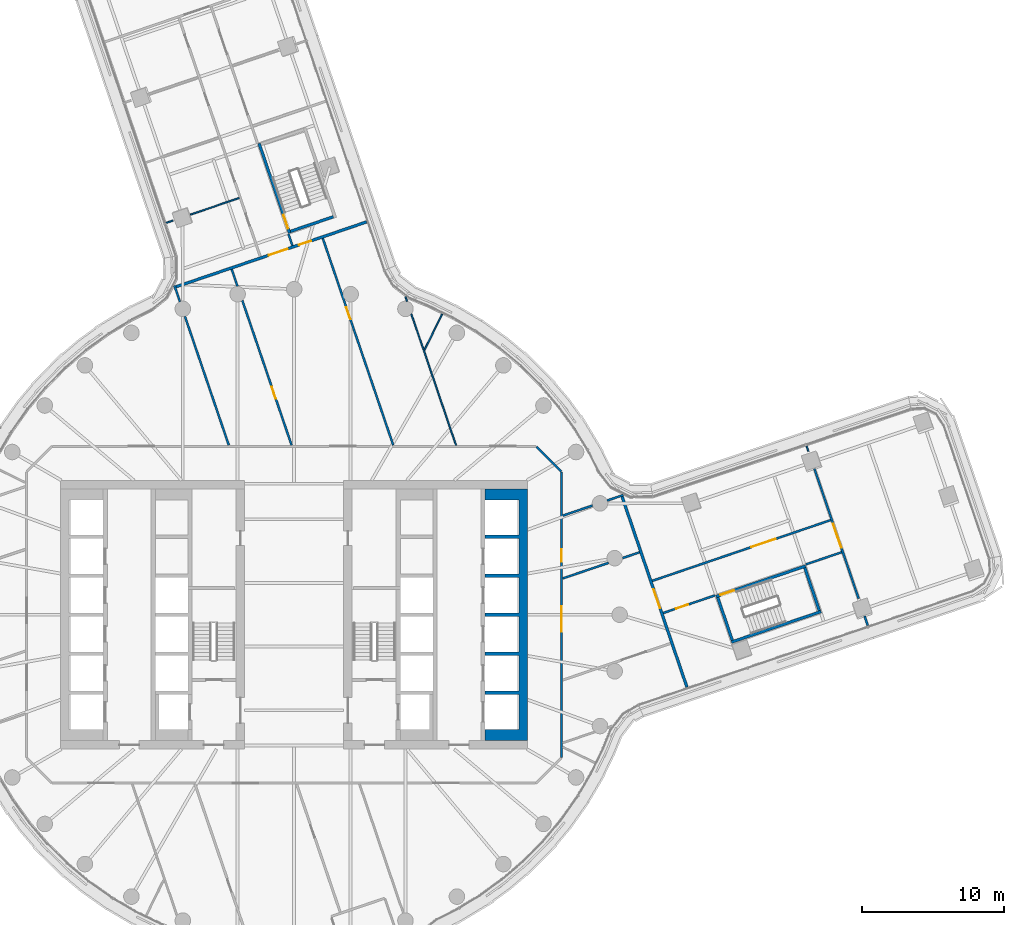
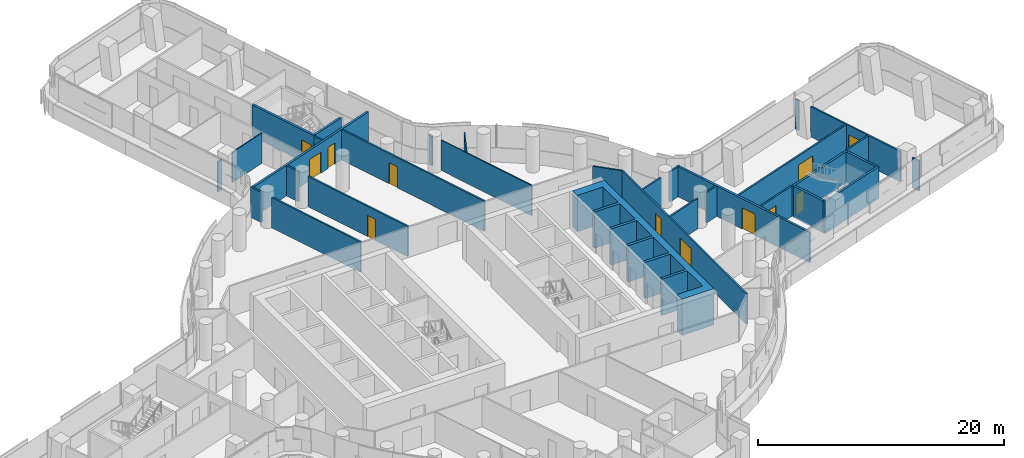
# One storey, part 20 of 29: 32 walls, 12 doors, 12 openings.
"""IFC4 building model written with IfcOpenShell, lengths in metres."""

from ifc_helpers import new_model, si_unit, direction, frame, frame_2d, origin, place, context, subcontext, project, spatial, polyline, rectangle, outline, extrude, material, layer, layer_set, type_object, element, fill, save


model = new_model("IFC4")

# Units and contexts
model_context = context("Model", 3, precision=1e-05, world=origin(), true_north=direction((0.0, 1.0)))
body_context = subcontext(model_context, "Body", "Model", "MODEL_VIEW")
ifc_project = project(units=[si_unit("LENGTHUNIT", "METRE"), si_unit("AREAUNIT", "SQUARE_METRE"), si_unit("VOLUMEUNIT", "CUBIC_METRE"), si_unit("PLANEANGLEUNIT", "RADIAN"), si_unit("MASSUNIT", "GRAM", prefix="KILO")], contexts=[model_context])

# Site, building, storey
site_placement = place(None, origin())
site = spatial("IfcSite", under=ifc_project, at=site_placement, CompositionType="ELEMENT")
building_placement = place(site_placement, origin())
building = spatial("IfcBuilding", under=site, at=building_placement, Name="Tamarind Cross Interchange Tower", CompositionType="ELEMENT")
storey_placement = place(building_placement, frame((0.0, 0.0, 102.25)))
storey = spatial("IfcBuildingStorey", under=building, at=storey_placement, Name="L24", CompositionType="ELEMENT", Elevation=102.25)

# Walls
ifc_material_1 = material(Name="Concrete C70", Category="concrete")
ifc_layer_1 = layer(ifc_material_1, 0.60009765625)
ifc_layer_set_1 = layer_set([ifc_layer_1], Name="Concrete C70")
wall_type_1 = type_object("IfcWallType", Name="Core wall 600 mm Concrete C70", PredefinedType="SHEAR", material=ifc_layer_set_1)
wall_1_placement = place(storey_placement, origin())
element("IfcWall", 1, at=wall_1_placement, inside=storey, type_object=wall_type_1, Name="Core wall CWL-L24-E-A", PredefinedType="SHEAR", context=body_context, shape_type="SweptSolid", body=[
    extrude(outline(polyline([(13.5, -8.89990234375), (15.89990234375, -8.89990234375), (16.5, -8.89990234375), (16.5, 8.89990234375), (15.89990234375, 8.89990234375), (13.5, 8.89990234375), (13.5, 8.125), (15.89990234375, 8.125), (15.89990234375, 5.625), (13.5, 5.625), (13.5, 5.375), (15.89990234375, 5.375), (15.89990234375, 2.875), (13.5, 2.875), (13.5, 2.625), (15.89990234375, 2.625), (15.89990234375, 0.125), (13.5, 0.125), (13.5, -0.125), (15.89990234375, -0.125), (15.89990234375, -2.625), (13.5, -2.625), (13.5, -2.875), (15.89990234375, -2.875), (15.89990234375, -5.375), (13.5, -5.375), (13.5, -5.625), (15.89990234375, -5.625), (15.89990234375, -8.125), (13.5, -8.125), (13.5, -8.89990234375)])), origin(), (0.0, 0.0, 1.0), 3.610107421875),
])
ifc_material_2 = material(Name="Gypsum board partition on steel studs", Category="steel")
ifc_layer_2 = layer(ifc_material_2, 0.10009765625)
ifc_layer_set_2 = layer_set([ifc_layer_2], Name="Gypsum board partition on steel studs")
wall_type_2 = type_object("IfcWallType", Name="Partition 100 mm EI 90", PredefinedType="PARTITIONING", material=ifc_layer_set_2)
wall_2_placement = place(storey_placement, frame((7.869384765625, 22.467041015625, 0.0), z_axis=(0.0, 0.0, 1.0), x_axis=(0.321992129505, -0.946742345381, 0.0)))
element("IfcWall", 2, at=wall_2_placement, inside=storey, type_object=wall_type_2, Name="Partition L24-025", PredefinedType="PARTITIONING", context=body_context, shape_type="SweptSolid", body=[
    extrude(rectangle(XDim=0.3427734375, YDim=0.10009765625, at=frame_2d((0.17138671875, 0.0))), origin(), (0.0, 0.0, 1.0), 3.010009765625),
])
wall_3_placement = place(storey_placement, frame((8.27978515625, 21.261474609375, 0.0), z_axis=(0.0, 0.0, 1.0), x_axis=(0.322373413617, -0.946612582947, 0.0)))
element("IfcWall", 3, at=wall_3_placement, inside=storey, type_object=wall_type_2, Name="Partition L24-026", PredefinedType="PARTITIONING", context=body_context, shape_type="SweptSolid", body=[
    extrude(rectangle(XDim=9.8095703125, YDim=0.10009765625, at=frame_2d((4.90478515625, 0.0))), origin(), (0.0, 0.0, 1.0), 3.010009765625),
])
wall_4_placement = place(storey_placement, frame((36.213134765625, 11.929443359375, 0.0), z_axis=(0.0, 0.0, 1.0), x_axis=(0.322320807151, -0.946630496697, 0.0)))
element("IfcWall", 4, at=wall_4_placement, inside=storey, type_object=wall_type_2, Name="Partition L24-028", PredefinedType="PARTITIONING", context=body_context, shape_type="SweptSolid", body=[
    extrude(rectangle(XDim=0.408203125, YDim=0.10009765625, at=frame_2d((0.2041015625, 0.0))), origin(), (0.0, 0.0, 1.0), 3.010009765625),
])
wall_5_placement = place(storey_placement, frame((-9.041015625, 27.689453125, 0.0), z_axis=(0.0, 0.0, 1.0), x_axis=(0.946627880755, 0.322328489863, 0.0)))
element("IfcWall", 5, at=wall_5_placement, inside=storey, type_object=wall_type_2, Name="Partition L24-054", PredefinedType="PARTITIONING", context=body_context, shape_type="SweptSolid", body=[
    extrude(rectangle(XDim=0.503662109375, YDim=0.10009765625, at=frame_2d((0.251953125, 0.0))), origin(), (0.0, 0.0, 1.0), 3.010009765625),
])
wall_6_placement = place(storey_placement, frame((-7.336181640625, 28.27001953125, 0.0), z_axis=(0.0, 0.0, 1.0), x_axis=(0.946629051869, 0.322325050467, 0.0)))
element("IfcWall", 6, at=wall_6_placement, inside=storey, type_object=wall_type_2, Name="Partition L24-055", PredefinedType="PARTITIONING", context=body_context, shape_type="SweptSolid", body=[
    extrude(rectangle(XDim=3.647705078125, YDim=0.10009765625, at=frame_2d((1.82373046875, 0.0))), origin(), (0.0, 0.0, 1.0), 3.010009765625),
])
wall_7_placement = place(storey_placement, frame((9.219482421875, 18.72607421875, 0.0), z_axis=(0.0, 0.0, 1.0), x_axis=(0.441524350623, 0.897249267376, 0.0)))
element("IfcWall", 7, at=wall_7_placement, inside=storey, type_object=wall_type_2, Name="Partition L24-080", PredefinedType="PARTITIONING", context=body_context, shape_type="SweptSolid", body=[
    extrude(rectangle(XDim=2.80224609375, YDim=0.10009765625, at=frame_2d((1.401123046875, 0.0))), origin(), (0.0, 0.0, 1.0), 3.010009765625),
])
ifc_layer_3 = layer(ifc_material_2, 0.14990234375)
ifc_layer_set_3 = layer_set([ifc_layer_3], Name="Gypsum board partition on steel studs")
wall_type_3 = type_object("IfcWallType", Name="Partition 150 mm EI 120", PredefinedType="PARTITIONING", material=ifc_layer_set_3)
wall_8_placement = place(storey_placement, frame((-8.456787109375, 23.25732421875, 0.0), z_axis=(0.0, 0.0, 1.0), x_axis=(0.322310236729, -0.946634095783, 0.0)))
element("IfcWall", 8, at=wall_8_placement, inside=storey, type_object=wall_type_3, Name="Partition L24-007", PredefinedType="PARTITIONING", context=body_context, shape_type="SweptSolid", body=[
    extrude(rectangle(XDim=1.202880859375, YDim=0.14990234375, at=frame_2d((0.6015625, 0.0))), origin(), (0.0, 0.0, 1.0), 3.010009765625),
])
wall_9_placement = place(storey_placement, frame((-7.719482421875, 21.09228515625, 0.0), z_axis=(0.0, 0.0, 1.0), x_axis=(0.322369221252, -0.946614010666, 0.0)))
element("IfcWall", 9, at=wall_9_placement, inside=storey, type_object=wall_type_3, Name="Partition L24-008", PredefinedType="PARTITIONING", context=body_context, shape_type="SweptSolid", body=[
    extrude(rectangle(XDim=9.625732421875, YDim=0.14990234375, at=frame_2d((4.81298828125, 0.0))), origin(), (0.0, 0.0, 1.0), 3.010009765625),
])
wall_10_placement = place(storey_placement, frame((-0.398681640625, 26.892822265625, 0.0), z_axis=(0.0, 0.0, 1.0), x_axis=(0.322691263615, -0.94650427806, 0.0)))
element("IfcWall", 10, at=wall_10_placement, inside=storey, type_object=wall_type_3, Name="Partition L24-012", PredefinedType="PARTITIONING", context=body_context, shape_type="SweptSolid", body=[
    extrude(rectangle(XDim=0.860107421875, YDim=0.14990234375, at=frame_2d((0.43017578125, 0.0))), origin(), (0.0, 0.0, 1.0), 3.010009765625),
])
wall_11_placement = place(storey_placement, frame((-4.410888671875, 24.40625, 0.0), z_axis=(0.0, 0.0, 1.0), x_axis=(0.322528601909, -0.94655971864, 0.0)))
element("IfcWall", 11, at=wall_11_placement, inside=storey, type_object=wall_type_3, Name="Partition L24-013", PredefinedType="PARTITIONING", context=body_context, shape_type="SweptSolid", body=[
    extrude(rectangle(XDim=1.265625, YDim=0.14990234375, at=frame_2d((0.6328125, 0.0))), origin(), (0.0, 0.0, 1.0), 3.010009765625),
])

# Wall, opening, door
wall_12_placement = place(storey_placement, frame((-3.66455078125, 22.215087890625, 0.0), z_axis=(0.0, 0.0, 1.0), x_axis=(0.322345171012, -0.94662220063, 0.0)))
wall_12 = element("IfcWall", 12, at=wall_12_placement, inside=storey, type_object=wall_type_3, Name="Partition L24-014", PredefinedType="PARTITIONING", context=body_context, shape_type="SweptSolid", body=[
    extrude(rectangle(XDim=10.811767578125, YDim=0.14990234375, at=frame_2d((5.40576171875, 0.0))), origin(), (0.0, 0.0, 1.0), 3.010009765625),
])
opening_1_placement = place(wall_12_placement, frame((6.449951171875, 0.0, 0.0)))
opening_1 = element("IfcOpeningElement", 13, at=opening_1_placement, cuts=wall_12, Name="Opening D10", PredefinedType="OPENING", context=body_context, shape_type="SweptSolid", body=[
    extrude(rectangle(XDim=0.89990234375, YDim=2.10009765625, at=frame_2d((0.449951171875, 1.050048828125))), frame((0.0, 0.0849609375, 0.0), z_axis=(0.0, -1.0, 0.0), x_axis=(1.0, 0.0, 0.0)), (0.0, 0.0, 1.0), 0.169921875),
])
ifc_material_3 = material(Name="Fire-resisting door set")
door_type_1 = type_object("IfcDoorType", Name="Interior door 900 x 2100 FD60S", OperationType="SINGLE_SWING_LEFT", PredefinedType="DOOR", material=ifc_material_3)
door_1_placement = place(opening_1_placement, frame((0.89990234375, 0.0, 0.0), z_axis=(0.0, 0.0, 1.0), x_axis=(-1.0, 0.0, 0.0)))
door_1 = element("IfcDoor", 14, at=door_1_placement, inside=storey, type_object=door_type_1, Name="Door D10", OperationType="SINGLE_SWING_RIGHT", OverallHeight=2.10009765625, OverallWidth=0.89990234375, PredefinedType="DOOR", context=body_context, shape_type="SweptSolid", body=[
    extrude(rectangle(XDim=0.89990234375, YDim=2.10009765625, at=frame_2d((0.449951171875, 1.050048828125))), frame((0.0, 0.02490234375, 0.0), z_axis=(0.0, -1.0, 0.0), x_axis=(1.0, 0.0, 0.0)), (0.0, 0.0, 1.0), 0.050048828125),
])
fill(opening_1, door_1)

wall_13_placement = place(storey_placement, frame((2.02685546875, 26.593505859375, 0.0), z_axis=(0.0, 0.0, 1.0), x_axis=(0.322388935649, -0.946607296703, 0.0)))
wall_13 = element("IfcWall", 15, at=wall_13_placement, inside=storey, type_object=wall_type_3, Name="Partition L24-020", PredefinedType="PARTITIONING", context=body_context, shape_type="SweptSolid", body=[
    extrude(rectangle(XDim=15.437255859375, YDim=0.14990234375, at=frame_2d((7.71875, 0.0))), origin(), (0.0, 0.0, 1.0), 3.010009765625),
])
opening_2_placement = place(wall_13_placement, frame((5.14501953125, 0.0, 0.0)))
opening_2 = element("IfcOpeningElement", 16, at=opening_2_placement, cuts=wall_13, Name="Opening D18", PredefinedType="OPENING", context=body_context, shape_type="SweptSolid", body=[
    extrude(rectangle(XDim=0.89990234375, YDim=2.10009765625, at=frame_2d((0.449951171875, 1.050048828125))), frame((0.0, 0.0849609375, 0.0), z_axis=(0.0, -1.0, 0.0), x_axis=(1.0, 0.0, 0.0)), (0.0, 0.0, 1.0), 0.169921875),
])
door_2_placement = place(opening_2_placement, origin())
door_2 = element("IfcDoor", 17, at=door_2_placement, inside=storey, type_object=door_type_1, Name="Door D18", OperationType="SINGLE_SWING_RIGHT", OverallHeight=2.10009765625, OverallWidth=0.89990234375, PredefinedType="DOOR", context=body_context, shape_type="SweptSolid", body=[
    extrude(rectangle(XDim=0.89990234375, YDim=2.10009765625, at=frame_2d((0.449951171875, 1.050048828125))), frame((0.0, 0.02490234375, 0.0), z_axis=(0.0, -1.0, 0.0), x_axis=(1.0, 0.0, 0.0)), (0.0, 0.0, 1.0), 0.050048828125),
])
fill(opening_2, door_2)

wall_14_placement = place(storey_placement, frame((36.76318359375, 10.315185546875, 0.0), z_axis=(0.0, 0.0, 1.0), x_axis=(0.322423197389, -0.946595627386, 0.0)))
wall_14 = element("IfcWall", 18, at=wall_14_placement, inside=storey, type_object=wall_type_3, Name="Partition L24-029", PredefinedType="PARTITIONING", context=body_context, shape_type="SweptSolid", body=[
    extrude(rectangle(XDim=9.6953125, YDim=0.14990234375, at=frame_2d((4.84765625, 0.0))), origin(), (0.0, 0.0, 1.0), 3.010009765625),
])
opening_3_placement = place(wall_14_placement, frame((4.105224609375, 0.0, 0.0)))
opening_3 = element("IfcOpeningElement", 19, at=opening_3_placement, cuts=wall_14, Name="Opening D21", PredefinedType="OPENING", context=body_context, shape_type="SweptSolid", body=[
    extrude(rectangle(XDim=1.800048828125, YDim=2.10009765625, at=frame_2d((0.89990234375, 1.050048828125))), frame((0.0, 0.0849609375, 0.0), z_axis=(0.0, -1.0, 0.0), x_axis=(1.0, 0.0, 0.0)), (0.0, 0.0, 1.0), 0.169921875),
])
door_type_2 = type_object("IfcDoorType", Name="Interior door 1800 x 2100 FD60S", OperationType="DOUBLE_DOOR_SINGLE_SWING", PredefinedType="DOOR", material=ifc_material_3)
door_3_placement = place(opening_3_placement, frame((1.800048828125, 0.0, 0.0), z_axis=(0.0, 0.0, 1.0), x_axis=(-1.0, 0.0, 0.0)))
door_3 = element("IfcDoor", 20, at=door_3_placement, inside=storey, type_object=door_type_2, Name="Door D21", OperationType="DOUBLE_DOOR_SINGLE_SWING", OverallHeight=2.10009765625, OverallWidth=1.800048828125, PredefinedType="DOOR", context=body_context, shape_type="SweptSolid", body=[
    extrude(rectangle(XDim=1.800048828125, YDim=2.10009765625, at=frame_2d((0.89990234375, 1.050048828125))), frame((0.0, 0.02490234375, 0.0), z_axis=(0.0, -1.0, 0.0), x_axis=(1.0, 0.0, 0.0)), (0.0, 0.0, 1.0), 0.050048828125),
])
fill(opening_3, door_3)

# Walls
wall_15_placement = place(storey_placement, frame((40.307373046875, -0.09033203125, 0.0), z_axis=(0.0, 0.0, 1.0), x_axis=(0.322394583606, -0.946605373142, 0.0)))
element("IfcWall", 21, at=wall_15_placement, inside=storey, type_object=wall_type_3, Name="Partition L24-030", PredefinedType="PARTITIONING", context=body_context, shape_type="SweptSolid", body=[
    extrude(rectangle(XDim=0.7119140625, YDim=0.14990234375, at=frame_2d((0.35595703125, 0.0))), origin(), (0.0, 0.0, 1.0), 3.010009765625),
])
wall_16_placement = place(storey_placement, frame((17.12841796875, 11.87158203125, 0.0), z_axis=(0.0, 0.0, 1.0), x_axis=(0.707106781187, -0.707106781187, 0.0)))
element("IfcWall", 22, at=wall_16_placement, inside=storey, type_object=wall_type_3, Name="Partition L24-032", PredefinedType="PARTITIONING", context=body_context, shape_type="SweptSolid", body=[
    extrude(rectangle(XDim=2.465087890625, YDim=0.14990234375, at=frame_2d((1.232421875, 0.0))), origin(), (0.0, 0.0, 1.0), 3.010009765625),
])
wall_17_placement = place(storey_placement, frame((18.98046875, 2.5634765625, 0.0), z_axis=(0.0, 0.0, 1.0), x_axis=(0.946648978423, 0.322266522697, 0.0)))
element("IfcWall", 23, at=wall_17_placement, inside=storey, type_object=wall_type_3, Name="Partition L24-068", PredefinedType="PARTITIONING", context=body_context, shape_type="SweptSolid", body=[
    extrude(rectangle(XDim=3.416748046875, YDim=0.14990234375, at=frame_2d((1.70849609375, 0.0))), origin(), (0.0, 0.0, 1.0), 3.010009765625),
])
wall_18_placement = place(storey_placement, frame((23.208251953125, 4.002685546875, 0.0), z_axis=(0.0, 0.0, 1.0), x_axis=(0.94655971864, 0.322528601909, 0.0)))
element("IfcWall", 24, at=wall_18_placement, inside=storey, type_object=wall_type_3, Name="Partition L24-069", PredefinedType="PARTITIONING", context=body_context, shape_type="SweptSolid", body=[
    extrude(rectangle(XDim=1.265625, YDim=0.14990234375, at=frame_2d((0.6328125, 0.0))), origin(), (0.0, 0.0, 1.0), 3.010009765625),
])
wall_19_placement = place(storey_placement, frame((18.98046875, 7.00048828125, 0.0), z_axis=(0.0, 0.0, 1.0), x_axis=(0.946639250305, 0.322295097358, 0.0)))
element("IfcWall", 25, at=wall_19_placement, inside=storey, type_object=wall_type_3, Name="Partition L24-070", PredefinedType="PARTITIONING", context=body_context, shape_type="SweptSolid", body=[
    extrude(rectangle(XDim=2.23095703125, YDim=0.14990234375, at=frame_2d((1.115478515625, 0.0))), origin(), (0.0, 0.0, 1.0), 3.010009765625),
])
wall_20_placement = place(storey_placement, frame((22.11865234375, 8.06884765625, 0.0), z_axis=(0.0, 0.0, 1.0), x_axis=(0.946593256644, 0.322430157515, 0.0)))
element("IfcWall", 26, at=wall_20_placement, inside=storey, type_object=wall_type_3, Name="Partition L24-071", PredefinedType="PARTITIONING", context=body_context, shape_type="SweptSolid", body=[
    extrude(rectangle(XDim=1.203125, YDim=0.14990234375, at=frame_2d((0.6015625, 0.0))), origin(), (0.0, 0.0, 1.0), 3.010009765625),
])

# Wall, opening, door
wall_21_placement = place(storey_placement, frame((25.3046875, 2.393310546875, 0.0), z_axis=(0.0, 0.0, 1.0), x_axis=(0.946622550829, 0.322344142589, 0.0)))
wall_21 = element("IfcWall", 27, at=wall_21_placement, inside=storey, type_object=wall_type_3, Name="Partition L24-074", PredefinedType="PARTITIONING", context=body_context, shape_type="SweptSolid", body=[
    extrude(rectangle(XDim=13.325439453125, YDim=0.14990234375, at=frame_2d((6.66259765625, 0.0))), origin(), (0.0, 0.0, 1.0), 3.010009765625),
])
opening_4_placement = place(wall_21_placement, frame((7.39990234375, 0.0, 0.0)))
opening_4 = element("IfcOpeningElement", 28, at=opening_4_placement, cuts=wall_21, Name="Opening D37", PredefinedType="OPENING", context=body_context, shape_type="SweptSolid", body=[
    extrude(rectangle(XDim=1.800048828125, YDim=2.10009765625, at=frame_2d((0.89990234375, 1.050048828125))), frame((0.0, 0.0849609375, 0.0), z_axis=(0.0, -1.0, 0.0), x_axis=(1.0, 0.0, 0.0)), (0.0, 0.0, 1.0), 0.169921875),
])
door_4_placement = place(opening_4_placement, frame((1.800048828125, 0.0, 0.0), z_axis=(0.0, 0.0, 1.0), x_axis=(-1.0, 0.0, 0.0)))
door_4 = element("IfcDoor", 29, at=door_4_placement, inside=storey, type_object=door_type_2, Name="Door D37", OperationType="DOUBLE_DOOR_SINGLE_SWING", OverallHeight=2.10009765625, OverallWidth=1.800048828125, PredefinedType="DOOR", context=body_context, shape_type="SweptSolid", body=[
    extrude(rectangle(XDim=1.800048828125, YDim=2.10009765625, at=frame_2d((0.89990234375, 1.050048828125))), frame((0.0, 0.02490234375, 0.0), z_axis=(0.0, -1.0, 0.0), x_axis=(1.0, 0.0, 0.0)), (0.0, 0.0, 1.0), 0.050048828125),
])
fill(opening_4, door_4)

wall_22_placement = place(storey_placement, frame((26.07861328125, 0.12109375, 0.0), z_axis=(0.0, 0.0, 1.0), x_axis=(0.946575152859, 0.322483301876, 0.0)))
wall_22 = element("IfcWall", 30, at=wall_22_placement, inside=storey, type_object=wall_type_3, Name="Partition L24-075", PredefinedType="PARTITIONING", context=body_context, shape_type="SweptSolid", body=[
    extrude(rectangle(XDim=3.859619140625, YDim=0.14990234375, at=frame_2d((1.9296875, 0.0))), origin(), (0.0, 0.0, 1.0), 3.010009765625),
])
opening_5_placement = place(wall_22_placement, frame((0.949951171875, 0.0, 0.0)))
opening_5 = element("IfcOpeningElement", 31, at=opening_5_placement, cuts=wall_22, Name="Opening D38", PredefinedType="OPENING", context=body_context, shape_type="SweptSolid", body=[
    extrude(rectangle(XDim=0.89990234375, YDim=2.10009765625, at=frame_2d((0.449951171875, 1.050048828125))), frame((0.0, 0.0849609375, 0.0), z_axis=(0.0, -1.0, 0.0), x_axis=(1.0, 0.0, 0.0)), (0.0, 0.0, 1.0), 0.169921875),
])
door_5_placement = place(opening_5_placement, frame((0.89990234375, 0.0, 0.0), z_axis=(0.0, 0.0, 1.0), x_axis=(-1.0, 0.0, 0.0)))
door_5 = element("IfcDoor", 32, at=door_5_placement, inside=storey, type_object=door_type_1, Name="Door D38", OperationType="SINGLE_SWING_LEFT", OverallHeight=2.10009765625, OverallWidth=0.89990234375, PredefinedType="DOOR", context=body_context, shape_type="SweptSolid", body=[
    extrude(rectangle(XDim=0.89990234375, YDim=2.10009765625, at=frame_2d((0.449951171875, 1.050048828125))), frame((0.0, 0.02490234375, 0.0), z_axis=(0.0, -1.0, 0.0), x_axis=(1.0, 0.0, 0.0)), (0.0, 0.0, 1.0), 0.050048828125),
])
fill(opening_5, door_5)

# Wall
wall_23_placement = place(storey_placement, frame((36.150634765625, 3.552490234375, 0.0), z_axis=(0.0, 0.0, 1.0), x_axis=(0.94659853452, 0.322414662267, 0.0)))
element("IfcWall", 33, at=wall_23_placement, inside=storey, type_object=wall_type_3, Name="Partition L24-076", PredefinedType="PARTITIONING", context=body_context, shape_type="SweptSolid", body=[
    extrude(rectangle(XDim=2.684326171875, YDim=0.14990234375, at=frame_2d((1.34228515625, 0.0))), origin(), (0.0, 0.0, 1.0), 3.010009765625),
])

# Wall, openings, doors
wall_24_placement = place(storey_placement, frame((18.89990234375, -10.10009765625, 0.0), z_axis=(0.0, 0.0, 1.0), x_axis=(0.0, 1.0, 0.0)))
wall_24 = element("IfcWall", 34, at=wall_24_placement, inside=storey, type_object=wall_type_3, Name="Partition L24-082", PredefinedType="PARTITIONING", context=body_context, shape_type="SweptSolid", body=[
    extrude(rectangle(XDim=20.2001953125, YDim=0.14990234375, at=frame_2d((10.10009765625, 0.0))), origin(), (0.0, 0.0, 1.0), 3.010009765625),
])
opening_6_placement = place(wall_24_placement, frame((8.903076171875, 0.0, 0.0)))
opening_6 = element("IfcOpeningElement", 35, at=opening_6_placement, cuts=wall_24, Name="Opening D41", PredefinedType="OPENING", context=body_context, shape_type="SweptSolid", body=[
    extrude(rectangle(XDim=1.800048828125, YDim=2.10009765625, at=frame_2d((0.89990234375, 1.050048828125))), frame((0.0, 0.0849609375, 0.0), z_axis=(0.0, -1.0, 0.0), x_axis=(1.0, 0.0, 0.0)), (0.0, 0.0, 1.0), 0.169921875),
])
opening_7_placement = place(wall_24_placement, frame((13.8359375, 0.0, 0.0)))
opening_7 = element("IfcOpeningElement", 36, at=opening_7_placement, cuts=wall_24, Name="Opening D42", PredefinedType="OPENING", context=body_context, shape_type="SweptSolid", body=[
    extrude(rectangle(XDim=0.89990234375, YDim=2.10009765625, at=frame_2d((0.449951171875, 1.050048828125))), frame((0.0, 0.0849609375, 0.0), z_axis=(0.0, -1.0, 0.0), x_axis=(1.0, 0.0, 0.0)), (0.0, 0.0, 1.0), 0.169921875),
])
door_6_placement = place(opening_6_placement, origin())
door_6 = element("IfcDoor", 37, at=door_6_placement, inside=storey, type_object=door_type_2, Name="Door D41", OperationType="DOUBLE_DOOR_SINGLE_SWING", OverallHeight=2.10009765625, OverallWidth=1.800048828125, PredefinedType="DOOR", context=body_context, shape_type="SweptSolid", body=[
    extrude(rectangle(XDim=1.800048828125, YDim=2.10009765625, at=frame_2d((0.89990234375, 1.050048828125))), frame((0.0, 0.02490234375, 0.0), z_axis=(0.0, -1.0, 0.0), x_axis=(1.0, 0.0, 0.0)), (0.0, 0.0, 1.0), 0.050048828125),
])
fill(opening_6, door_6)
door_7_placement = place(opening_7_placement, frame((0.89990234375, 0.0, 0.0), z_axis=(0.0, 0.0, 1.0), x_axis=(-1.0, 0.0, 0.0)))
door_7 = element("IfcDoor", 38, at=door_7_placement, inside=storey, type_object=door_type_1, Name="Door D42", OperationType="SINGLE_SWING_RIGHT", OverallHeight=2.10009765625, OverallWidth=0.89990234375, PredefinedType="DOOR", context=body_context, shape_type="SweptSolid", body=[
    extrude(rectangle(XDim=0.89990234375, YDim=2.10009765625, at=frame_2d((0.449951171875, 1.050048828125))), frame((0.0, 0.02490234375, 0.0), z_axis=(0.0, -1.0, 0.0), x_axis=(1.0, 0.0, 0.0)), (0.0, 0.0, 1.0), 0.050048828125),
])
fill(opening_7, door_7)

# Wall, opening, door
ifc_layer_4 = layer(ifc_material_2, 0.199951171875)
ifc_layer_set_4 = layer_set([ifc_layer_4], Name="Gypsum board partition on steel studs")
wall_type_4 = type_object("IfcWallType", Name="Partition 200 mm EI 180", PredefinedType="PARTITIONING", material=ifc_layer_set_4)
wall_25_placement = place(storey_placement, frame((23.171142578125, 8.347900390625, 0.0), z_axis=(0.0, 0.0, 1.0), x_axis=(0.322364268555, -0.946615697292, 0.0)))
wall_25 = element("IfcWall", 39, at=wall_25_placement, inside=storey, type_object=wall_type_4, Name="Partition L24-027", PredefinedType="PARTITIONING", context=body_context, shape_type="SweptSolid", body=[
    extrude(rectangle(XDim=14.2236328125, YDim=0.199951171875, at=frame_2d((7.11181640625, 0.0))), origin(), (0.0, 0.0, 1.0), 3.010009765625),
])
opening_8_placement = place(wall_25_placement, frame((6.924560546875, 0.0, 0.0)))
opening_8 = element("IfcOpeningElement", 40, at=opening_8_placement, cuts=wall_25, Name="Opening D20", PredefinedType="OPENING", context=body_context, shape_type="SweptSolid", body=[
    extrude(rectangle(XDim=1.39990234375, YDim=2.10009765625, at=frame_2d((0.699951171875, 1.050048828125))), frame((0.0, 0.10986328125, 0.0), z_axis=(0.0, -1.0, 0.0), x_axis=(1.0, 0.0, 0.0)), (0.0, 0.0, 1.0), 0.219970703125),
])
door_type_3 = type_object("IfcDoorType", Name="Interior door 1400 x 2100 FD120S", OperationType="DOUBLE_DOOR_SINGLE_SWING", PredefinedType="DOOR", material=ifc_material_3)
door_8_placement = place(opening_8_placement, frame((1.39990234375, 0.0, 0.0), z_axis=(0.0, 0.0, 1.0), x_axis=(-1.0, 0.0, 0.0)))
door_8 = element("IfcDoor", 41, at=door_8_placement, inside=storey, type_object=door_type_3, Name="Door D20", OperationType="DOUBLE_DOOR_SINGLE_SWING", OverallHeight=2.10009765625, OverallWidth=1.39990234375, PredefinedType="DOOR", context=body_context, shape_type="SweptSolid", body=[
    extrude(rectangle(XDim=1.39990234375, YDim=2.10009765625, at=frame_2d((0.699951171875, 1.050048828125))), frame((0.0, 0.02490234375, 0.0), z_axis=(0.0, -1.0, 0.0), x_axis=(1.0, 0.0, 0.0)), (0.0, 0.0, 1.0), 0.050048828125),
])
fill(opening_8, door_8)

# Wall, openings, doors
wall_26_placement = place(storey_placement, frame((-8.347900390625, 23.171142578125, 0.0), z_axis=(0.0, 0.0, 1.0), x_axis=(0.946615697292, 0.322364268555, 0.0)))
wall_26 = element("IfcWall", 42, at=wall_26_placement, inside=storey, type_object=wall_type_4, Name="Partition L24-056", PredefinedType="PARTITIONING", context=body_context, shape_type="SweptSolid", body=[
    extrude(rectangle(XDim=14.2236328125, YDim=0.199951171875, at=frame_2d((7.11181640625, 0.0))), origin(), (0.0, 0.0, 1.0), 3.010009765625),
])
opening_9_placement = place(wall_26_placement, frame((6.924560546875, 0.0, 0.0)))
opening_9 = element("IfcOpeningElement", 43, at=opening_9_placement, cuts=wall_26, Name="Opening D32", PredefinedType="OPENING", context=body_context, shape_type="SweptSolid", body=[
    extrude(rectangle(XDim=1.39990234375, YDim=2.10009765625, at=frame_2d((0.699951171875, 1.050048828125))), frame((0.0, 0.10986328125, 0.0), z_axis=(0.0, -1.0, 0.0), x_axis=(1.0, 0.0, 0.0)), (0.0, 0.0, 1.0), 0.219970703125),
])
opening_10_placement = place(wall_26_placement, frame((9.1748046875, 0.0, 0.0)))
opening_10 = element("IfcOpeningElement", 44, at=opening_10_placement, cuts=wall_26, Name="Opening D33", PredefinedType="OPENING", context=body_context, shape_type="SweptSolid", body=[
    extrude(rectangle(XDim=0.89990234375, YDim=2.10009765625, at=frame_2d((0.449951171875, 1.050048828125))), frame((0.0, 0.10986328125, 0.0), z_axis=(0.0, -1.0, 0.0), x_axis=(1.0, 0.0, 0.0)), (0.0, 0.0, 1.0), 0.219970703125),
])
door_9_placement = place(opening_9_placement, frame((1.39990234375, 0.0, 0.0), z_axis=(0.0, 0.0, 1.0), x_axis=(-1.0, 0.0, 0.0)))
door_9 = element("IfcDoor", 45, at=door_9_placement, inside=storey, type_object=door_type_3, Name="Door D32", OperationType="DOUBLE_DOOR_SINGLE_SWING", OverallHeight=2.10009765625, OverallWidth=1.39990234375, PredefinedType="DOOR", context=body_context, shape_type="SweptSolid", body=[
    extrude(rectangle(XDim=1.39990234375, YDim=2.10009765625, at=frame_2d((0.699951171875, 1.050048828125))), frame((0.0, 0.02490234375, 0.0), z_axis=(0.0, -1.0, 0.0), x_axis=(1.0, 0.0, 0.0)), (0.0, 0.0, 1.0), 0.050048828125),
])
fill(opening_9, door_9)
door_type_4 = type_object("IfcDoorType", Name="Interior door 900 x 2100 FD120S", OperationType="SINGLE_SWING_LEFT", PredefinedType="DOOR", material=ifc_material_3)
door_10_placement = place(opening_10_placement, origin())
door_10 = element("IfcDoor", 46, at=door_10_placement, inside=storey, type_object=door_type_4, Name="Door D33", OperationType="SINGLE_SWING_LEFT", OverallHeight=2.10009765625, OverallWidth=0.89990234375, PredefinedType="DOOR", context=body_context, shape_type="SweptSolid", body=[
    extrude(rectangle(XDim=0.89990234375, YDim=2.10009765625, at=frame_2d((0.449951171875, 1.050048828125))), frame((0.0, 0.02490234375, 0.0), z_axis=(0.0, -1.0, 0.0), x_axis=(1.0, 0.0, 0.0)), (0.0, 0.0, 1.0), 0.050048828125),
])
fill(opening_10, door_10)

# Wall, opening, door
ifc_material_4 = material(Name="Concrete C40", Category="concrete")
ifc_layer_5 = layer(ifc_material_4, 0.199951171875)
ifc_layer_set_5 = layer_set([ifc_layer_5], Name="Concrete C40")
wall_type_5 = type_object("IfcWallType", Name="Stair shaft wall 200 mm Concrete C40", PredefinedType="SHEAR", material=ifc_layer_set_5)
wall_27_placement = place(storey_placement, frame((29.802734375, 1.283935546875, -0.139892578125), z_axis=(0.0, 0.0, 1.0), x_axis=(0.946611819599, 0.322375655092, 0.0)))
wall_27 = element("IfcWall", 47, at=wall_27_placement, inside=storey, type_object=wall_type_5, Name="Core wall CWL-L24-ST3-H", PredefinedType="SHEAR", context=body_context, shape_type="SweptSolid", body=[
    extrude(rectangle(XDim=6.699951171875, YDim=0.199951171875, at=frame_2d((3.35009765625, 0.0))), origin(), (0.0, 0.0, 1.0), 3.14990234375),
])
opening_11_placement = place(wall_27_placement, frame((0.35009765625, 0.0, 0.0)))
opening_11 = element("IfcOpeningElement", 48, at=opening_11_placement, cuts=wall_27, Name="Opening ST3L24", PredefinedType="OPENING", context=body_context, shape_type="SweptSolid", body=[
    extrude(rectangle(XDim=1.0, YDim=2.10009765625, at=frame_2d((0.5, 1.050048828125))), frame((0.0, 0.10986328125, 0.0), z_axis=(0.0, -1.0, 0.0), x_axis=(1.0, 0.0, 0.0)), (0.0, 0.0, 1.0), 0.219970703125),
])
ifc_material_5 = material(Name="Steel, fire-resisting", Category="steel")
door_type_5 = type_object("IfcDoorType", Name="Core fire door 1000 x 2100 FD90", OperationType="SINGLE_SWING_LEFT", PredefinedType="DOOR", material=ifc_material_5)
door_11_placement = place(opening_11_placement, origin())
door_11 = element("IfcDoor", 49, at=door_11_placement, inside=storey, type_object=door_type_5, Name="L24 stair door ST3", OperationType="SINGLE_SWING_LEFT", OverallHeight=2.10009765625, OverallWidth=1.0, PredefinedType="DOOR", context=body_context, shape_type="SweptSolid", body=[
    extrude(rectangle(XDim=1.0, YDim=2.10009765625, at=frame_2d((0.5, 1.050048828125))), frame((0.0, 0.02490234375, 0.0), z_axis=(0.0, -1.0, 0.0), x_axis=(1.0, 0.0, 0.0)), (0.0, 0.0, 1.0), 0.050048828125),
])
fill(opening_11, door_11)

# Walls
wall_28_placement = place(storey_placement, frame((30.898681640625, -1.9345703125, -0.139892578125), z_axis=(0.0, 0.0, 1.0), x_axis=(0.946611819599, 0.322375655092, 0.0)))
element("IfcWall", 50, at=wall_28_placement, inside=storey, type_object=wall_type_5, Name="Core wall CWL-L24-ST3-C", PredefinedType="SHEAR", context=body_context, shape_type="SweptSolid", body=[
    extrude(rectangle(XDim=6.699951171875, YDim=0.199951171875, at=frame_2d((3.35009765625, 0.0))), origin(), (0.0, 0.0, 1.0), 3.14990234375),
])
wall_29_placement = place(storey_placement, frame((30.961181640625, -1.8076171875, -0.139892578125), z_axis=(0.0, 0.0, 1.0), x_axis=(-0.322355445727, 0.946618701807, 0.0)))
element("IfcWall", 51, at=wall_29_placement, inside=storey, type_object=wall_type_5, Name="Core wall CWL-L24-ST3-CE", PredefinedType="SHEAR", context=body_context, shape_type="SweptSolid", body=[
    extrude(rectangle(XDim=3.199951171875, YDim=0.199951171875, at=frame_2d((1.60009765625, 0.0))), origin(), (0.0, 0.0, 1.0), 3.14990234375),
])
wall_30_placement = place(storey_placement, frame((0.0, 0.0, -0.139892578125)))
element("IfcWall", 52, at=wall_30_placement, inside=storey, type_object=wall_type_5, Name="Core wall CWL-L24-ST3-CF", PredefinedType="SHEAR", context=body_context, shape_type="SweptSolid", body=[
    extrude(outline(polyline([(37.01953125, 0.255615234375), (37.208740234375, 0.320068359375), (36.17724609375, 3.34912109375), (35.98779296875, 3.28466796875), (37.01953125, 0.255615234375)])), origin(), (0.0, 0.0, 1.0), 3.14990234375),
])

# Wall, opening, door
wall_31_placement = place(storey_placement, frame((-0.31689453125, 26.962890625, -0.139892578125), z_axis=(0.0, 0.0, 1.0), x_axis=(-0.322375655092, 0.946611819599, 0.0)))
wall_31 = element("IfcWall", 53, at=wall_31_placement, inside=storey, type_object=wall_type_5, Name="Core wall CWL-L24-ST4-H", PredefinedType="SHEAR", context=body_context, shape_type="SweptSolid", body=[
    extrude(rectangle(XDim=6.699951171875, YDim=0.199951171875, at=frame_2d((3.35009765625, 0.0))), origin(), (0.0, 0.0, 1.0), 3.14990234375),
])
opening_12_placement = place(wall_31_placement, frame((0.35009765625, 0.0, 0.0)))
opening_12 = element("IfcOpeningElement", 54, at=opening_12_placement, cuts=wall_31, Name="Opening ST4L24", PredefinedType="OPENING", context=body_context, shape_type="SweptSolid", body=[
    extrude(rectangle(XDim=1.0, YDim=2.10009765625, at=frame_2d((0.5, 1.050048828125))), frame((0.0, 0.10986328125, 0.0), z_axis=(0.0, -1.0, 0.0), x_axis=(1.0, 0.0, 0.0)), (0.0, 0.0, 1.0), 0.219970703125),
])
door_12_placement = place(opening_12_placement, origin())
door_12 = element("IfcDoor", 55, at=door_12_placement, inside=storey, type_object=door_type_5, Name="L24 stair door ST4", OperationType="SINGLE_SWING_LEFT", OverallHeight=2.10009765625, OverallWidth=1.0, PredefinedType="DOOR", context=body_context, shape_type="SweptSolid", body=[
    extrude(rectangle(XDim=1.0, YDim=2.10009765625, at=frame_2d((0.5, 1.050048828125))), frame((0.0, 0.02490234375, 0.0), z_axis=(0.0, -1.0, 0.0), x_axis=(1.0, 0.0, 0.0)), (0.0, 0.0, 1.0), 0.050048828125),
])
fill(opening_12, door_12)

# Wall
wall_32_placement = place(storey_placement, frame((2.77490234375, 28.121337890625, -0.139892578125), z_axis=(0.0, 0.0, 1.0), x_axis=(-0.946603348589, -0.322400527977, 0.0)))
element("IfcWall", 56, at=wall_32_placement, inside=storey, type_object=wall_type_5, Name="Core wall CWL-L24-ST4-CE", PredefinedType="SHEAR", context=body_context, shape_type="SweptSolid", body=[
    extrude(rectangle(XDim=3.2001953125, YDim=0.199951171875, at=frame_2d((1.60009765625, 0.0))), origin(), (0.0, 0.0, 1.0), 3.14990234375),
])

save(model, "model.ifc")
